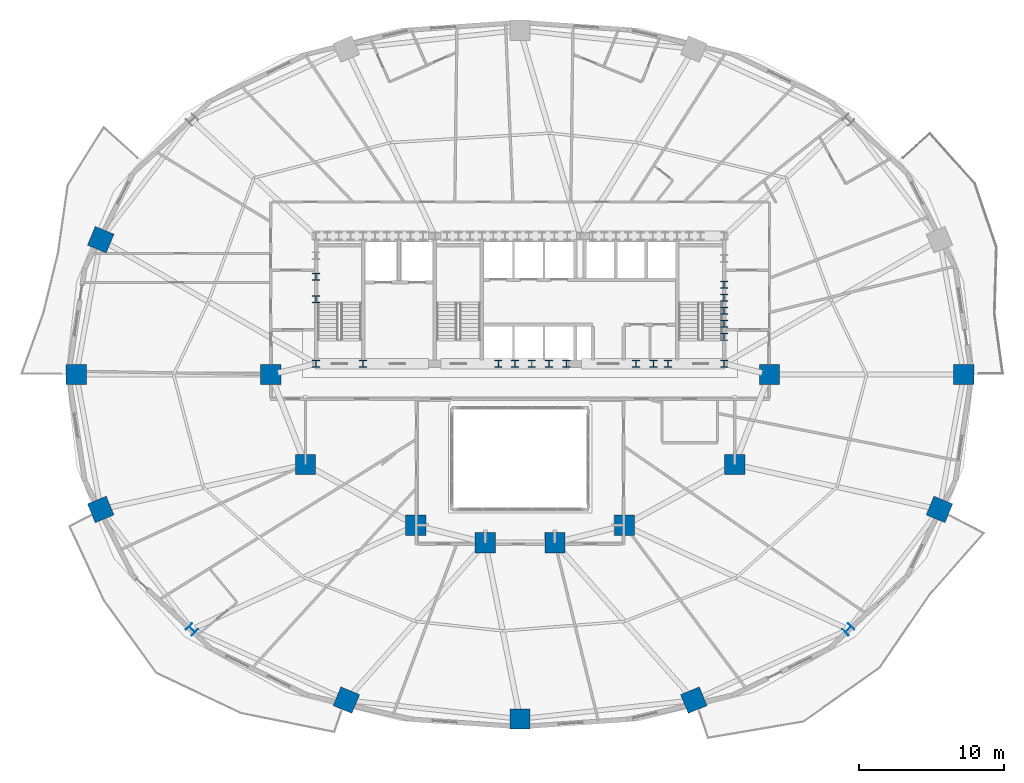
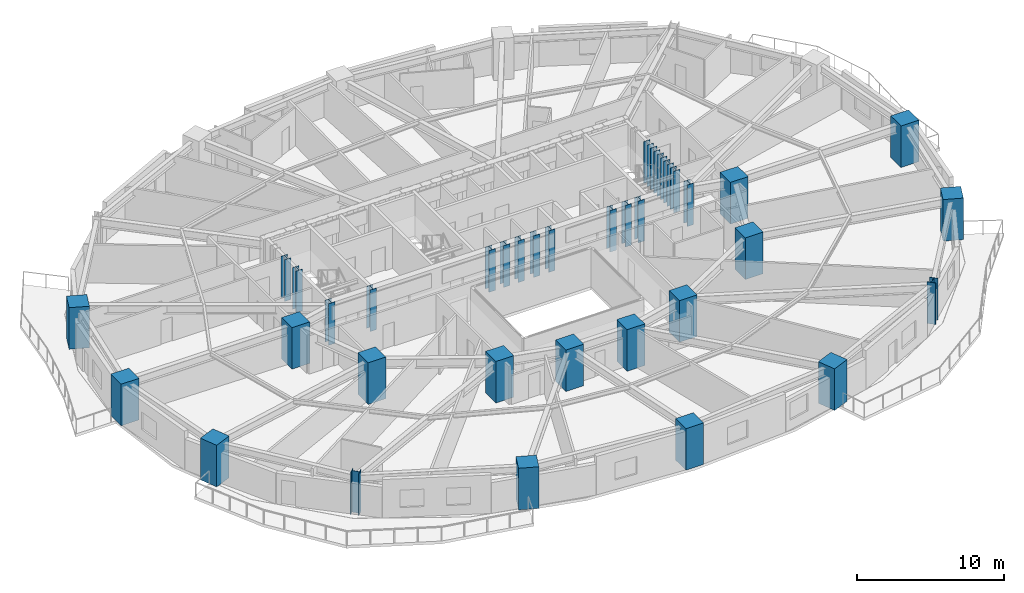
# One storey, part 1 of 16: 36 columns.
"""IFC4 building model written with IfcOpenShell, lengths in metres."""

from ifc_helpers import new_model, si_unit, direction, frame, origin, origin_2d, place, context, subcontext, project, spatial, rectangle, i_section, extrude, material, material_profile, profile_set, type_object, element, save


model = new_model("IFC4")

# Units and contexts
model_context = context("Model", 3, precision=1e-05, world=origin(), true_north=direction((0.0, 1.0)))
body_context = subcontext(model_context, "Body", "Model", "MODEL_VIEW")
ifc_project = project(units=[si_unit("LENGTHUNIT", "METRE"), si_unit("AREAUNIT", "SQUARE_METRE"), si_unit("VOLUMEUNIT", "CUBIC_METRE"), si_unit("PLANEANGLEUNIT", "RADIAN"), si_unit("MASSUNIT", "GRAM", prefix="KILO")], contexts=[model_context])

# Site, building, storey
site_placement = place(None, origin())
site = spatial("IfcSite", under=ifc_project, at=site_placement, CompositionType="ELEMENT")
building_placement = place(site_placement, origin())
building = spatial("IfcBuilding", under=site, at=building_placement, Name="Haldorwick Loom Tower", CompositionType="ELEMENT")
storey_placement = place(building_placement, frame((0.0, 0.0, 68.85009765625)))
storey = spatial("IfcBuildingStorey", under=building, at=storey_placement, Name="L18", CompositionType="ELEMENT", Elevation=68.85009765625)

# Columns
ifc_material_1 = material(Name="Concrete C60 (60 MPa)", Category="concrete")
ifc_material_profile_1 = material_profile(ifc_material_1, rectangle(XDim=1.39990234375, YDim=1.39990234375, at=origin_2d()), Name="RC1400X1400", Category="concrete")
ifc_profile_set_1 = profile_set([ifc_material_profile_1], Name="Concrete C60 (60 MPa)")
column_type_1 = type_object("IfcColumnType", Name="STR-COL-MEGA1400", PredefinedType="COLUMN", material=ifc_profile_set_1)
for number, where, z_axis, x_axis, name in (
    (1, (53.199951171875, 26.0, 0.0), (0.0, 0.0, 1.0), (1.0, 0.0, 0.0), "L18 Inner Column IC-01"),
    (2, (50.800048828125, 19.800048828125, 0.0), (0.0, 0.0, 1.0), (1.0, 0.0, 0.0), "L18 Inner Column IC-02"),
    (3, (43.199951171875, 15.60009765625, 0.0), (0.0, 0.0, 1.0), (1.0, 0.0, 0.0), "L18 Inner Column IC-03"),
    (4, (38.39990234375, 14.39990234375, 0.0), (0.0, 0.0, 1.0), (1.0, 0.0, 0.0), "L18 Inner Column IC-04"),
    (5, (33.60009765625, 14.39990234375, 0.0), (0.0, 0.0, 1.0), (1.0, 0.0, 0.0), "L18 Inner Column IC-05"),
    (6, (28.800048828125, 15.60009765625, 0.0), (0.0, 0.0, 1.0), (1.0, 0.0, 0.0), "L18 Inner Column IC-06"),
    (7, (21.199951171875, 19.800048828125, 0.0), (0.0, 0.0, 1.0), (1.0, 0.0, 0.0), "L18 Inner Column IC-07"),
    (8, (18.800048828125, 26.0, 0.0), (0.0, 0.0, 1.0), (1.0, 0.0, 0.0), "L18 Inner Column IC-08"),
):
    element("IfcColumn", number, at=place(storey_placement, frame(where, z_axis=z_axis, x_axis=x_axis)), inside=storey, type_object=column_type_1, Name=name, PredefinedType="COLUMN", context=body_context, shape_type="SweptSolid", body=[
        extrude(rectangle(XDim=1.39990234375, YDim=1.39990234375, at=origin_2d()), origin(), (0.0, 0.0, 1.0), 3.449951171875),
    ])
ifc_material_profile_2 = material_profile(ifc_material_1, rectangle(XDim=1.39990234375, YDim=1.39990234375, at=origin_2d()), Name="RC1400X1400", Category="concrete")
ifc_profile_set_2 = profile_set([ifc_material_profile_2], Name="Concrete C60 (60 MPa)")
column_type_2 = type_object("IfcColumnType", Name="STR-COL-RC1400", PredefinedType="PILASTER", material=ifc_profile_set_2)
for number, where, z_axis, x_axis, name in (
    (9, (66.595947265625, 26.0, 0.0), (0.0, 0.0, 1.0), (1.0, 0.0, 0.0), "L18 Perimeter Pier Column P01"),
    (10, (7.08251953125, 35.29931640625, 0.0), (0.0, 0.0, 1.0), (-0.923879532511, 0.382683432365, 0.0), "L18 Perimeter Pier Column P08"),
    (11, (5.404052734375, 26.0, 0.0), (0.0, 0.0, 1.0), (-1.0, 0.0, 0.0), "L18 Perimeter Pier Column P09"),
    (12, (7.08251953125, 16.70068359375, 0.0), (0.0, 0.0, 1.0), (-0.923879532511, -0.382683432365, 0.0), "L18 Perimeter Pier Column P10"),
    (13, (24.02197265625, 3.5498046875, 0.0), (0.0, 0.0, 1.0), (-0.382683432365, -0.923879532511, 0.0), "L18 Perimeter Pier Column P12"),
    (14, (36.0, 2.25, 0.0), (0.0, 0.0, 1.0), (0.0, -1.0, 0.0), "L18 Perimeter Pier Column P13"),
    (15, (47.97802734375, 3.5498046875, 0.0), (0.0, 0.0, 1.0), (0.382683432365, -0.923879532511, 0.0), "L18 Perimeter Pier Column P14"),
    (16, (64.91748046875, 16.70068359375, 0.0), (0.0, 0.0, 1.0), (0.923879532511, -0.382683432365, 0.0), "L18 Perimeter Pier Column P16"),
):
    element("IfcColumn", number, at=place(storey_placement, frame(where, z_axis=z_axis, x_axis=x_axis)), inside=storey, type_object=column_type_2, Name=name, PredefinedType="PILASTER", context=body_context, shape_type="SweptSolid", body=[
        extrude(rectangle(XDim=1.39990234375, YDim=1.39990234375, at=origin_2d()), origin(), (0.0, 0.0, 1.0), 3.449951171875),
    ])
ifc_material_2 = material(Name="Steel CSA G40.21 350WT", Category="steel")
ifc_material_profile_3 = material_profile(ifc_material_2, i_section(OverallWidth=0.5, OverallDepth=0.5, WebThickness=0.02197265625, FlangeThickness=0.031982421875, at=origin_2d()), Name="WWF500X500", Category="steel")
ifc_profile_set_3 = profile_set([ifc_material_profile_3], Name="Steel CSA G40.21 350WT")
column_type_3 = type_object("IfcColumnType", Name="STR-COL-WWF500", PredefinedType="COLUMN", material=ifc_profile_set_3)
for number, where, z_axis, x_axis, name in (
    (17, (21.929931640625, 26.75, 0.0), (0.0, 0.0, 1.0), (1.0, 0.0, 0.0), "L18 Core Pilaster CB-19"),
    (18, (25.169921875, 26.75, 0.0), (0.0, 0.0, 1.0), (1.0, 0.0, 0.0), "L18 Core Pilaster CB-20"),
    (19, (34.5, 26.75, 0.0), (0.0, 0.0, 1.0), (1.0, 0.0, 0.0), "L18 Core Pilaster CB-21"),
    (20, (36.800048828125, 26.75, 0.0), (0.0, 0.0, 1.0), (1.0, 0.0, 0.0), "L18 Core Pilaster CB-22"),
    (21, (39.199951171875, 26.75, 0.0), (0.0, 0.0, 1.0), (1.0, 0.0, 0.0), "L18 Core Pilaster CB-23"),
    (22, (45.199951171875, 26.75, 0.0), (0.0, 0.0, 1.0), (1.0, 0.0, 0.0), "L18 Core Pilaster CB-24"),
    (23, (50.070068359375, 26.75, 0.0), (0.0, 0.0, 1.0), (1.0, 0.0, 0.0), "L18 Core Pilaster CB-25"),
    (24, (21.929931640625, 31.199951171875, 0.0), (0.0, 0.0, 1.0), (1.0, 0.0, 0.0), "L18 Core Pilaster CB-26"),
    (25, (21.929931640625, 32.75, 0.0), (0.0, 0.0, 1.0), (1.0, 0.0, 0.0), "L18 Core Pilaster CB-27"),
    (26, (50.070068359375, 28.60009765625, 0.0), (0.0, 0.0, 1.0), (1.0, 0.0, 0.0), "L18 Core Pilaster CB-29"),
    (27, (50.070068359375, 30.39990234375, 0.0), (0.0, 0.0, 1.0), (1.0, 0.0, 0.0), "L18 Core Pilaster CB-30"),
    (28, (50.070068359375, 32.199951171875, 0.0), (0.0, 0.0, 1.0), (1.0, 0.0, 0.0), "L18 Core Pilaster CB-31"),
    (29, (50.070068359375, 29.5, 0.0), (0.0, 0.0, 1.0), (1.0, 0.0, 0.0), "L18 Core Pilaster CB-49"),
    (30, (50.070068359375, 31.300048828125, 0.0), (0.0, 0.0, 1.0), (1.0, 0.0, 0.0), "L18 Core Pilaster CB-50"),
    (31, (35.64990234375, 26.75, 0.0), (0.0, 0.0, 1.0), (1.0, 0.0, 0.0), "L18 Core Pilaster CB-51"),
    (32, (38.0, 26.75, 0.0), (0.0, 0.0, 1.0), (1.0, 0.0, 0.0), "L18 Core Pilaster CB-52"),
    (33, (44.0, 26.75, 0.0), (0.0, 0.0, 1.0), (1.0, 0.0, 0.0), "L18 Core Pilaster CB-53"),
    (34, (46.199951171875, 26.75, 0.0), (0.0, 0.0, 1.0), (1.0, 0.0, 0.0), "L18 Core Pilaster CB-54"),
):
    element("IfcColumn", number, at=place(storey_placement, frame(where, z_axis=z_axis, x_axis=x_axis)), inside=storey, type_object=column_type_3, Name=name, PredefinedType="COLUMN", context=body_context, shape_type="SweptSolid", body=[
        extrude(i_section(OverallWidth=0.5, OverallDepth=0.5, WebThickness=0.02197265625, FlangeThickness=0.031982421875, at=origin_2d()), origin(), (0.0, 0.0, 1.0), 3.449951171875),
    ])
ifc_material_profile_4 = material_profile(ifc_material_2, i_section(OverallWidth=0.60009765625, OverallDepth=0.60009765625, WebThickness=0.02490234375, FlangeThickness=0.035888671875, at=origin_2d()), Name="WWF600X600", Category="steel")
ifc_profile_set_4 = profile_set([ifc_material_profile_4], Name="Steel CSA G40.21 350WT")
column_type_4 = type_object("IfcColumnType", Name="STR-COL-WWF600", PredefinedType="COLUMN", material=ifc_profile_set_4)
for number, where, z_axis, x_axis, name in (
    (35, (13.369873046875, 8.428466796875, 0.0), (0.0, 0.0, 1.0), (-0.707106781187, -0.707106781187, 0.0), "L18 Perimeter Pier Column P11"),
    (36, (58.630126953125, 8.428466796875, 0.0), (0.0, 0.0, 1.0), (0.707106781187, -0.707106781187, 0.0), "L18 Perimeter Pier Column P15"),
):
    element("IfcColumn", number, at=place(storey_placement, frame(where, z_axis=z_axis, x_axis=x_axis)), inside=storey, type_object=column_type_4, Name=name, PredefinedType="COLUMN", context=body_context, shape_type="SweptSolid", body=[
        extrude(i_section(OverallWidth=0.60009765625, OverallDepth=0.60009765625, WebThickness=0.02490234375, FlangeThickness=0.035888671875, at=origin_2d()), origin(), (0.0, 0.0, 1.0), 3.449951171875),
    ])

save(model, "model.ifc")
